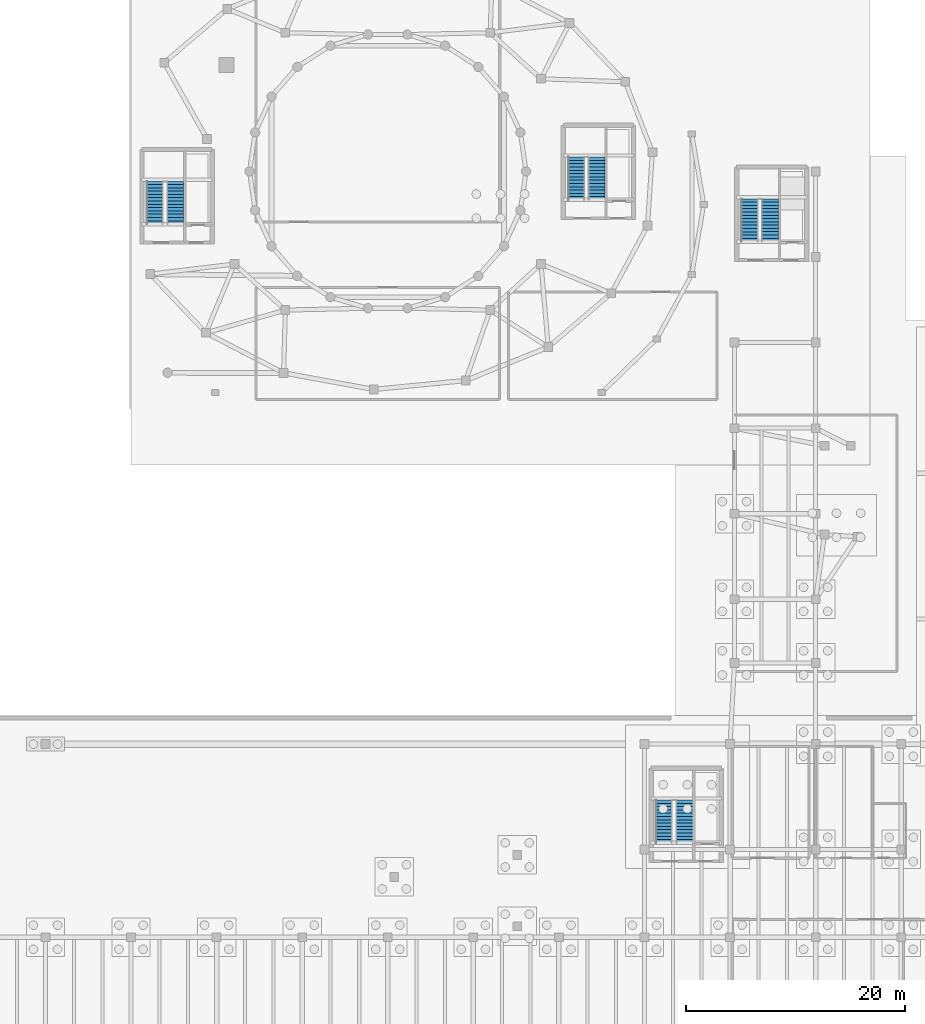
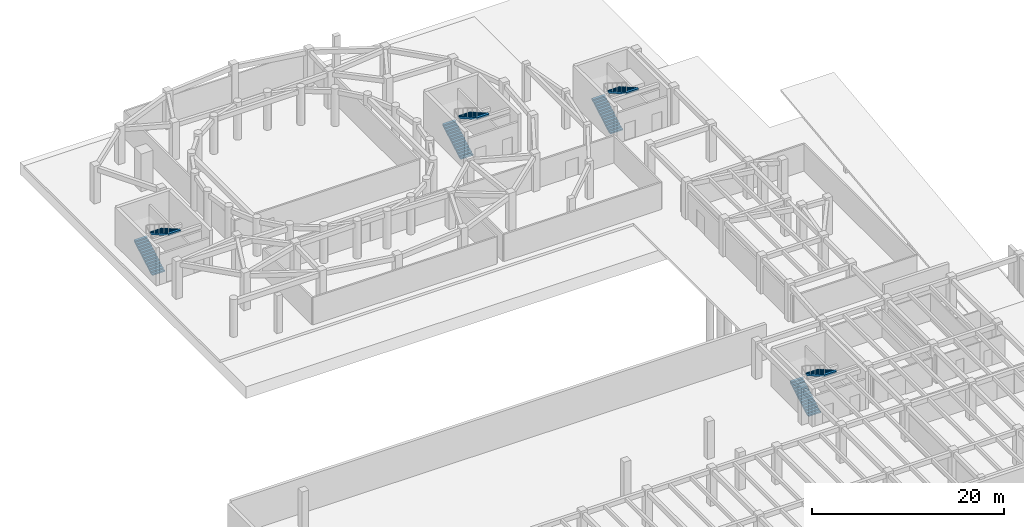
# One storey, part 9 of 11: 8 stair flights, 4 elements without a shape of their own.
"""IFC4 building model written with IfcOpenShell, lengths in metres."""

from ifc_helpers import new_model, si_unit, direction, frame, origin, place, context, subcontext, project, spatial, polyline, outline, extrude, material, layer, layer_set, type_object, element, aggregate, save


model = new_model("IFC4")

# Units and contexts
model_context = context("Model", 3, precision=1e-05, world=origin(), true_north=direction((0.0, 1.0)))
body_context = subcontext(model_context, "Body", "Model", "MODEL_VIEW")
ifc_project = project(units=[si_unit("LENGTHUNIT", "METRE"), si_unit("AREAUNIT", "SQUARE_METRE"), si_unit("VOLUMEUNIT", "CUBIC_METRE"), si_unit("PLANEANGLEUNIT", "RADIAN"), si_unit("MASSUNIT", "GRAM", prefix="KILO")], contexts=[model_context])

# Site, building, storey
site_placement = place(None, origin())
site = spatial("IfcSite", under=ifc_project, at=site_placement, CompositionType="ELEMENT")
building_placement = place(site_placement, origin())
building = spatial("IfcBuilding", under=site, at=building_placement, Name="Pelvatis Terrace Science Centre", CompositionType="ELEMENT")
storey_placement = place(building_placement, frame((0.0, 0.0, -4.800048828125)))
storey = spatial("IfcBuildingStorey", under=building, at=storey_placement, Name="B01", CompositionType="ELEMENT", Elevation=-4.800048828125)

# Stair, stair flights
ifc_material_1 = material(Name="Concrete C35/45", Category="concrete")
stair_type = type_object("IfcStairType", Name="STR-2RUN-1500-48", PredefinedType="TWO_STRAIGHT_RUN_STAIR", material=ifc_material_1)
stair_1_placement = place(storey_placement, origin())
stair_1 = element("IfcStair", 1, at=stair_1_placement, inside=storey, type_object=stair_type, Name="Protected core stair ST-01-B01", PredefinedType="TWO_STRAIGHT_RUN_STAIR")
ifc_material_2 = material(Name="Concrete C35/45", Category="concrete")
ifc_layer = layer(ifc_material_2, 0.179931640625)
ifc_layer_set = layer_set([ifc_layer], Name="Concrete C35/45")
stair_flight_type = type_object("IfcStairFlightType", Name="SFL-RC-1500", PredefinedType="STRAIGHT", material=ifc_layer_set)
stair_flight_1_placement = place(storey_placement, frame((87.949951171875, 81.0, 0.0), z_axis=(0.0, 0.0, 1.0), x_axis=(0.0, 1.0, 0.0)))
stair_flight_1 = element("IfcStairFlight", 2, at=stair_flight_1_placement, type_object=stair_flight_type, Name="ST-01-B01 flight 1", NumberOfRisers=14, NumberOfTreads=13, PredefinedType="STRAIGHT", RiserHeight=0.171428571, TreadLength=0.3, context=body_context, shape_type="SweptSolid", body=[
    extrude(outline(polyline([(0.0, 0.0), (0.0, 0.17138671875), (0.300048828125, 0.17138671875), (0.300048828125, 0.3427734375), (0.60009765625, 0.3427734375), (0.60009765625, 0.514404296875), (0.89990234375, 0.514404296875), (0.89990234375, 0.685791015625), (1.199951171875, 0.685791015625), (1.199951171875, 0.857177734375), (1.5, 0.857177734375), (1.5, 1.028564453125), (1.800048828125, 1.028564453125), (1.800048828125, 1.199951171875), (2.10009765625, 1.199951171875), (2.10009765625, 1.371337890625), (2.39990234375, 1.371337890625), (2.39990234375, 1.54296875), (2.699951171875, 1.54296875), (2.699951171875, 1.71435546875), (3.0, 1.71435546875), (3.0, 1.8857421875), (3.300048828125, 1.8857421875), (3.300048828125, 2.05712890625), (3.60009765625, 2.05712890625), (3.60009765625, 2.228515625), (3.89990234375, 2.228515625), (3.89990234375, 2.39990234375), (3.89990234375, 2.021240234375), (0.362548828125, 0.0), (0.0, 0.0)])), frame((0.0, 0.75, 0.0), z_axis=(0.0, -1.0, 0.0), x_axis=(1.0, 0.0, 0.0)), (0.0, 0.0, 1.0), 1.5),
])
stair_flight_2_placement = place(storey_placement, frame((89.85009765625, 84.89990234375, 2.400146484375), z_axis=(0.0, 0.0, 1.0), x_axis=(0.0, -1.0, 0.0)))
stair_flight_2 = element("IfcStairFlight", 3, at=stair_flight_2_placement, type_object=stair_flight_type, Name="ST-01-B01 flight 2", NumberOfRisers=14, NumberOfTreads=13, PredefinedType="STRAIGHT", RiserHeight=0.171428571, TreadLength=0.3, context=body_context, shape_type="SweptSolid", body=[
    extrude(outline(polyline([(0.0, 0.0), (0.0, 0.17138671875), (0.300048828125, 0.17138671875), (0.300048828125, 0.3427734375), (0.60009765625, 0.3427734375), (0.60009765625, 0.514404296875), (0.89990234375, 0.514404296875), (0.89990234375, 0.685791015625), (1.199951171875, 0.685791015625), (1.199951171875, 0.857177734375), (1.5, 0.857177734375), (1.5, 1.028564453125), (1.800048828125, 1.028564453125), (1.800048828125, 1.199951171875), (2.10009765625, 1.199951171875), (2.10009765625, 1.371337890625), (2.39990234375, 1.371337890625), (2.39990234375, 1.54296875), (2.699951171875, 1.54296875), (2.699951171875, 1.71435546875), (3.0, 1.71435546875), (3.0, 1.8857421875), (3.300048828125, 1.8857421875), (3.300048828125, 2.05712890625), (3.60009765625, 2.05712890625), (3.60009765625, 2.228515625), (3.89990234375, 2.228515625), (3.89990234375, 2.39990234375), (3.89990234375, 2.021240234375), (0.362548828125, 0.0), (0.0, 0.0)])), frame((0.0, 0.75, 0.0), z_axis=(0.0, -1.0, 0.0), x_axis=(1.0, 0.0, 0.0)), (0.0, 0.0, 1.0), 1.5),
])
aggregate(stair_1, [stair_flight_1, stair_flight_2])

stair_2_placement = place(storey_placement, origin())
stair_2 = element("IfcStair", 4, at=stair_2_placement, inside=storey, type_object=stair_type, Name="Protected core stair ST-02-B01", PredefinedType="TWO_STRAIGHT_RUN_STAIR")
stair_flight_3_placement = place(storey_placement, frame((126.35009765625, 83.199951171875, 0.0), z_axis=(0.0, 0.0, 1.0), x_axis=(0.0, 1.0, 0.0)))
stair_flight_3 = element("IfcStairFlight", 5, at=stair_flight_3_placement, type_object=stair_flight_type, Name="ST-02-B01 flight 1", NumberOfRisers=14, NumberOfTreads=13, PredefinedType="STRAIGHT", RiserHeight=0.171428571, TreadLength=0.3, context=body_context, shape_type="SweptSolid", body=[
    extrude(outline(polyline([(0.0, 0.0), (0.0, 0.17138671875), (0.300048828125, 0.17138671875), (0.300048828125, 0.3427734375), (0.60009765625, 0.3427734375), (0.60009765625, 0.514404296875), (0.89990234375, 0.514404296875), (0.89990234375, 0.685791015625), (1.199951171875, 0.685791015625), (1.199951171875, 0.857177734375), (1.5, 0.857177734375), (1.5, 1.028564453125), (1.800048828125, 1.028564453125), (1.800048828125, 1.199951171875), (2.10009765625, 1.199951171875), (2.10009765625, 1.371337890625), (2.39990234375, 1.371337890625), (2.39990234375, 1.54296875), (2.699951171875, 1.54296875), (2.699951171875, 1.71435546875), (3.0, 1.71435546875), (3.0, 1.8857421875), (3.300048828125, 1.8857421875), (3.300048828125, 2.05712890625), (3.60009765625, 2.05712890625), (3.60009765625, 2.228515625), (3.89990234375, 2.228515625), (3.89990234375, 2.39990234375), (3.89990234375, 2.021240234375), (0.362548828125, 0.0), (0.0, 0.0)])), frame((0.0, 0.75, 0.0), z_axis=(0.0, -1.0, 0.0), x_axis=(1.0, 0.0, 0.0)), (0.0, 0.0, 1.0), 1.5),
])
stair_flight_4_placement = place(storey_placement, frame((128.25, 87.10009765625, 2.400146484375), z_axis=(0.0, 0.0, 1.0), x_axis=(0.0, -1.0, 0.0)))
stair_flight_4 = element("IfcStairFlight", 6, at=stair_flight_4_placement, type_object=stair_flight_type, Name="ST-02-B01 flight 2", NumberOfRisers=14, NumberOfTreads=13, PredefinedType="STRAIGHT", RiserHeight=0.171428571, TreadLength=0.3, context=body_context, shape_type="SweptSolid", body=[
    extrude(outline(polyline([(0.0, 0.0), (0.0, 0.17138671875), (0.300048828125, 0.17138671875), (0.300048828125, 0.3427734375), (0.60009765625, 0.3427734375), (0.60009765625, 0.514404296875), (0.89990234375, 0.514404296875), (0.89990234375, 0.685791015625), (1.199951171875, 0.685791015625), (1.199951171875, 0.857177734375), (1.5, 0.857177734375), (1.5, 1.028564453125), (1.800048828125, 1.028564453125), (1.800048828125, 1.199951171875), (2.10009765625, 1.199951171875), (2.10009765625, 1.371337890625), (2.39990234375, 1.371337890625), (2.39990234375, 1.54296875), (2.699951171875, 1.54296875), (2.699951171875, 1.71435546875), (3.0, 1.71435546875), (3.0, 1.8857421875), (3.300048828125, 1.8857421875), (3.300048828125, 2.05712890625), (3.60009765625, 2.05712890625), (3.60009765625, 2.228515625), (3.89990234375, 2.228515625), (3.89990234375, 2.39990234375), (3.89990234375, 2.021240234375), (0.362548828125, 0.0), (0.0, 0.0)])), frame((0.0, 0.75, 0.0), z_axis=(0.0, -1.0, 0.0), x_axis=(1.0, 0.0, 0.0)), (0.0, 0.0, 1.0), 1.5),
])
aggregate(stair_2, [stair_flight_3, stair_flight_4])

stair_3_placement = place(storey_placement, origin())
stair_3 = element("IfcStair", 7, at=stair_3_placement, inside=storey, type_object=stair_type, Name="Protected core stair ST-03-B01", PredefinedType="TWO_STRAIGHT_RUN_STAIR")
stair_flight_5_placement = place(storey_placement, frame((142.14990234375, 79.39990234375, 0.0), z_axis=(0.0, 0.0, 1.0), x_axis=(0.0, 1.0, 0.0)))
stair_flight_5 = element("IfcStairFlight", 8, at=stair_flight_5_placement, type_object=stair_flight_type, Name="ST-03-B01 flight 1", NumberOfRisers=14, NumberOfTreads=13, PredefinedType="STRAIGHT", RiserHeight=0.171428571, TreadLength=0.3, context=body_context, shape_type="SweptSolid", body=[
    extrude(outline(polyline([(0.0, 0.0), (0.0, 0.17138671875), (0.300048828125, 0.17138671875), (0.300048828125, 0.3427734375), (0.60009765625, 0.3427734375), (0.60009765625, 0.514404296875), (0.89990234375, 0.514404296875), (0.89990234375, 0.685791015625), (1.199951171875, 0.685791015625), (1.199951171875, 0.857177734375), (1.5, 0.857177734375), (1.5, 1.028564453125), (1.800048828125, 1.028564453125), (1.800048828125, 1.199951171875), (2.10009765625, 1.199951171875), (2.10009765625, 1.371337890625), (2.39990234375, 1.371337890625), (2.39990234375, 1.54296875), (2.699951171875, 1.54296875), (2.699951171875, 1.71435546875), (3.0, 1.71435546875), (3.0, 1.8857421875), (3.300048828125, 1.8857421875), (3.300048828125, 2.05712890625), (3.60009765625, 2.05712890625), (3.60009765625, 2.228515625), (3.89990234375, 2.228515625), (3.89990234375, 2.39990234375), (3.89990234375, 2.021240234375), (0.362548828125, 0.0), (0.0, 0.0)])), frame((0.0, 0.75, 0.0), z_axis=(0.0, -1.0, 0.0), x_axis=(1.0, 0.0, 0.0)), (0.0, 0.0, 1.0), 1.5),
])
stair_flight_6_placement = place(storey_placement, frame((144.050048828125, 83.300048828125, 2.400146484375), z_axis=(0.0, 0.0, 1.0), x_axis=(0.0, -1.0, 0.0)))
stair_flight_6 = element("IfcStairFlight", 9, at=stair_flight_6_placement, type_object=stair_flight_type, Name="ST-03-B01 flight 2", NumberOfRisers=14, NumberOfTreads=13, PredefinedType="STRAIGHT", RiserHeight=0.171428571, TreadLength=0.3, context=body_context, shape_type="SweptSolid", body=[
    extrude(outline(polyline([(0.0, 0.0), (0.0, 0.17138671875), (0.300048828125, 0.17138671875), (0.300048828125, 0.3427734375), (0.60009765625, 0.3427734375), (0.60009765625, 0.514404296875), (0.89990234375, 0.514404296875), (0.89990234375, 0.685791015625), (1.199951171875, 0.685791015625), (1.199951171875, 0.857177734375), (1.5, 0.857177734375), (1.5, 1.028564453125), (1.800048828125, 1.028564453125), (1.800048828125, 1.199951171875), (2.10009765625, 1.199951171875), (2.10009765625, 1.371337890625), (2.39990234375, 1.371337890625), (2.39990234375, 1.54296875), (2.699951171875, 1.54296875), (2.699951171875, 1.71435546875), (3.0, 1.71435546875), (3.0, 1.8857421875), (3.300048828125, 1.8857421875), (3.300048828125, 2.05712890625), (3.60009765625, 2.05712890625), (3.60009765625, 2.228515625), (3.89990234375, 2.228515625), (3.89990234375, 2.39990234375), (3.89990234375, 2.021240234375), (0.362548828125, 0.0), (0.0, 0.0)])), frame((0.0, 0.75, 0.0), z_axis=(0.0, -1.0, 0.0), x_axis=(1.0, 0.0, 0.0)), (0.0, 0.0, 1.0), 1.5),
])
aggregate(stair_3, [stair_flight_5, stair_flight_6])

stair_4_placement = place(storey_placement, origin())
stair_4 = element("IfcStair", 10, at=stair_4_placement, inside=storey, type_object=stair_type, Name="Protected core stair ST-04-B01", PredefinedType="TWO_STRAIGHT_RUN_STAIR")
stair_flight_7_placement = place(storey_placement, frame((134.35009765625, 24.60009765625, 0.0), z_axis=(0.0, 0.0, 1.0), x_axis=(0.0, 1.0, 0.0)))
stair_flight_7 = element("IfcStairFlight", 11, at=stair_flight_7_placement, type_object=stair_flight_type, Name="ST-04-B01 flight 1", NumberOfRisers=14, NumberOfTreads=13, PredefinedType="STRAIGHT", RiserHeight=0.171428571, TreadLength=0.3, context=body_context, shape_type="SweptSolid", body=[
    extrude(outline(polyline([(0.0, 0.0), (0.0, 0.17138671875), (0.300048828125, 0.17138671875), (0.300048828125, 0.3427734375), (0.60009765625, 0.3427734375), (0.60009765625, 0.514404296875), (0.89990234375, 0.514404296875), (0.89990234375, 0.685791015625), (1.199951171875, 0.685791015625), (1.199951171875, 0.857177734375), (1.5, 0.857177734375), (1.5, 1.028564453125), (1.800048828125, 1.028564453125), (1.800048828125, 1.199951171875), (2.10009765625, 1.199951171875), (2.10009765625, 1.371337890625), (2.39990234375, 1.371337890625), (2.39990234375, 1.54296875), (2.699951171875, 1.54296875), (2.699951171875, 1.71435546875), (3.0, 1.71435546875), (3.0, 1.8857421875), (3.300048828125, 1.8857421875), (3.300048828125, 2.05712890625), (3.60009765625, 2.05712890625), (3.60009765625, 2.228515625), (3.89990234375, 2.228515625), (3.89990234375, 2.39990234375), (3.89990234375, 2.021240234375), (0.362548828125, 0.0), (0.0, 0.0)])), frame((0.0, 0.75, 0.0), z_axis=(0.0, -1.0, 0.0), x_axis=(1.0, 0.0, 0.0)), (0.0, 0.0, 1.0), 1.5),
])
stair_flight_8_placement = place(storey_placement, frame((136.25, 28.5, 2.400146484375), z_axis=(0.0, 0.0, 1.0), x_axis=(0.0, -1.0, 0.0)))
stair_flight_8 = element("IfcStairFlight", 12, at=stair_flight_8_placement, type_object=stair_flight_type, Name="ST-04-B01 flight 2", NumberOfRisers=14, NumberOfTreads=13, PredefinedType="STRAIGHT", RiserHeight=0.171428571, TreadLength=0.3, context=body_context, shape_type="SweptSolid", body=[
    extrude(outline(polyline([(0.0, 0.0), (0.0, 0.17138671875), (0.300048828125, 0.17138671875), (0.300048828125, 0.3427734375), (0.60009765625, 0.3427734375), (0.60009765625, 0.514404296875), (0.89990234375, 0.514404296875), (0.89990234375, 0.685791015625), (1.199951171875, 0.685791015625), (1.199951171875, 0.857177734375), (1.5, 0.857177734375), (1.5, 1.028564453125), (1.800048828125, 1.028564453125), (1.800048828125, 1.199951171875), (2.10009765625, 1.199951171875), (2.10009765625, 1.371337890625), (2.39990234375, 1.371337890625), (2.39990234375, 1.54296875), (2.699951171875, 1.54296875), (2.699951171875, 1.71435546875), (3.0, 1.71435546875), (3.0, 1.8857421875), (3.300048828125, 1.8857421875), (3.300048828125, 2.05712890625), (3.60009765625, 2.05712890625), (3.60009765625, 2.228515625), (3.89990234375, 2.228515625), (3.89990234375, 2.39990234375), (3.89990234375, 2.021240234375), (0.362548828125, 0.0), (0.0, 0.0)])), frame((0.0, 0.75, 0.0), z_axis=(0.0, -1.0, 0.0), x_axis=(1.0, 0.0, 0.0)), (0.0, 0.0, 1.0), 1.5),
])
aggregate(stair_4, [stair_flight_7, stair_flight_8])

save(model, "model.ifc")
